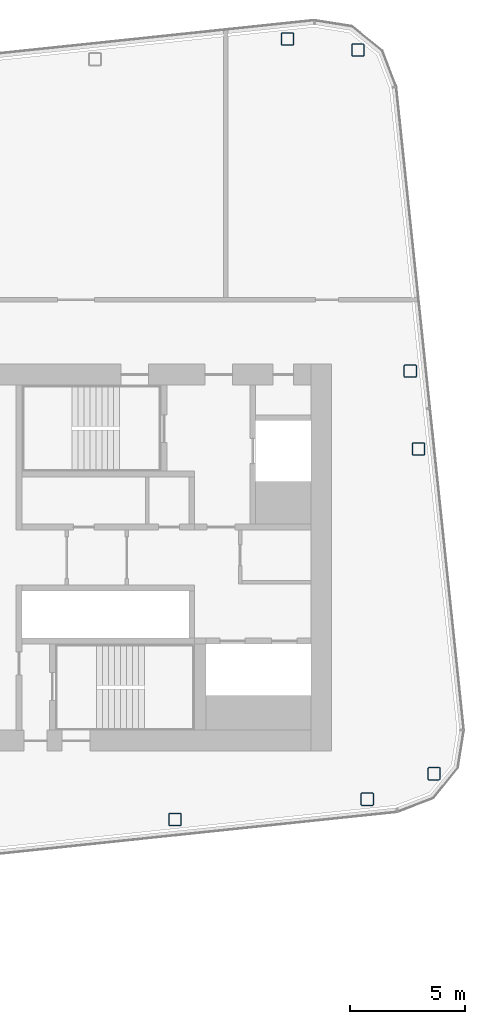
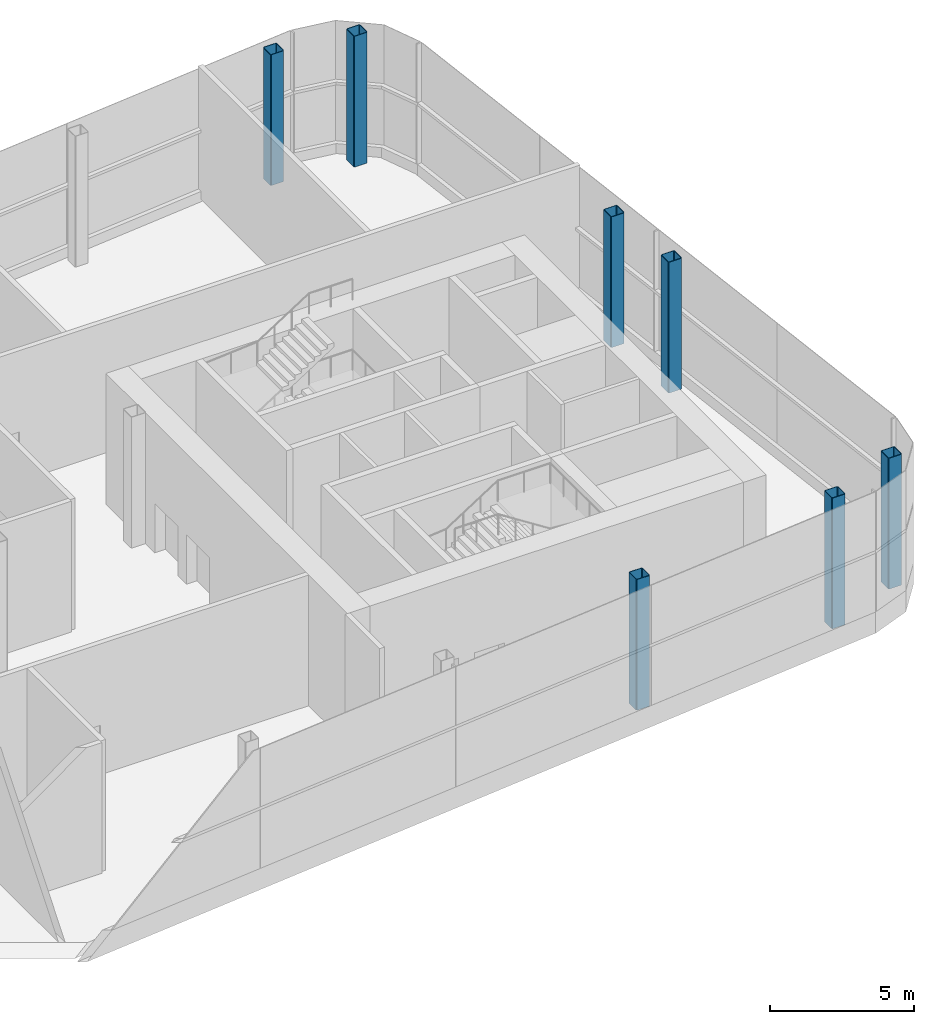
# One storey, part 2 of 35: 7 columns.
"""IFC4 building model written with IfcOpenShell, lengths in metres."""

from ifc_helpers import new_model, si_unit, direction, frame, origin, origin_2d, place, context, subcontext, project, spatial, hollow_rectangle, extrude, material, material_profile, profile_set, type_object, element, save


model = new_model("IFC4")

# Units and contexts
model_context = context("Model", 3, precision=1e-05, world=origin(), true_north=direction((0.0, 1.0)))
body_context = subcontext(model_context, "Body", "Model", "MODEL_VIEW")
ifc_project = project(units=[si_unit("LENGTHUNIT", "METRE"), si_unit("AREAUNIT", "SQUARE_METRE"), si_unit("VOLUMEUNIT", "CUBIC_METRE"), si_unit("PLANEANGLEUNIT", "RADIAN"), si_unit("MASSUNIT", "GRAM", prefix="KILO")], contexts=[model_context])

# Site, building, storey
site_placement = place(None, origin())
site = spatial("IfcSite", under=ifc_project, at=site_placement, CompositionType="ELEMENT")
building_placement = place(site_placement, origin())
building = spatial("IfcBuilding", under=site, at=building_placement, Name="Hakoniwa Tower and Hamabe Station Hall", CompositionType="ELEMENT")
storey_placement = place(building_placement, frame((0.0, 0.0, 264.60009765625)))
storey = spatial("IfcBuildingStorey", under=building, at=storey_placement, Name="L75", CompositionType="ELEMENT", Elevation=264.60009765625)

# Columns
ifc_material = material(Name="Steel BCP325", Category="steel")
ifc_material_profile = material_profile(ifc_material, hollow_rectangle(XDim=0.550048828125, YDim=0.550048828125, WallThickness=0.02197265625, InnerFilletRadius=0.032958984375, OuterFilletRadius=0.054931640625, at=origin_2d()), Name="BCP-550x550x22")
ifc_profile_set = profile_set([ifc_material_profile], Name="Steel BCP325")
column_type = type_object("IfcColumnType", Name="COLUMN BCP-550x550x22", PredefinedType="COLUMN", material=ifc_profile_set)
for number, where, z_axis, x_axis, name in (
    (1, (26.797119140625, -11.375, 0.0), (0.0, 0.0, 1.0), (1.0, 0.0, 0.0), "Column B5-10-A5"),
    (2, (35.151123046875, -10.496826171875, 0.0), (0.0, 0.0, 1.0), (1.0, 0.0, 0.0), "Column B5-11-A5"),
    (3, (31.680908203125, 22.521240234375, 0.0), (0.0, 0.0, 1.0), (1.0, 0.0, 0.0), "Column B5-11-F5"),
    (4, (38.054443359375, -9.390380859375, 0.0), (0.0, 0.0, 1.0), (1.0, 0.0, 0.0), "Column B5-EE-A5"),
    (5, (37.372802734375, 4.71875, 0.0), (0.0, 0.0, 1.0), (1.0, 0.0, 0.0), "Column B5-EE-C5"),
    (6, (37.017333984375, 8.10009765625, 0.0), (0.0, 0.0, 1.0), (1.0, 0.0, 0.0), "Column B5-EE-D5"),
    (7, (34.750732421875, 22.04248046875, 0.0), (0.0, 0.0, 1.0), (1.0, 0.0, 0.0), "Column B5-EE-F5"),
):
    element("IfcColumn", number, at=place(storey_placement, frame(where, z_axis=z_axis, x_axis=x_axis)), inside=storey, type_object=column_type, Name=name, PredefinedType="COLUMN", context=body_context, shape_type="SweptSolid", body=[
        extrude(hollow_rectangle(XDim=0.550048828125, YDim=0.550048828125, WallThickness=0.02197265625, InnerFilletRadius=0.032958984375, OuterFilletRadius=0.054931640625, at=origin_2d()), origin(), (0.0, 0.0, 1.0), 5.5498046875),
    ])

save(model, "model.ifc")
